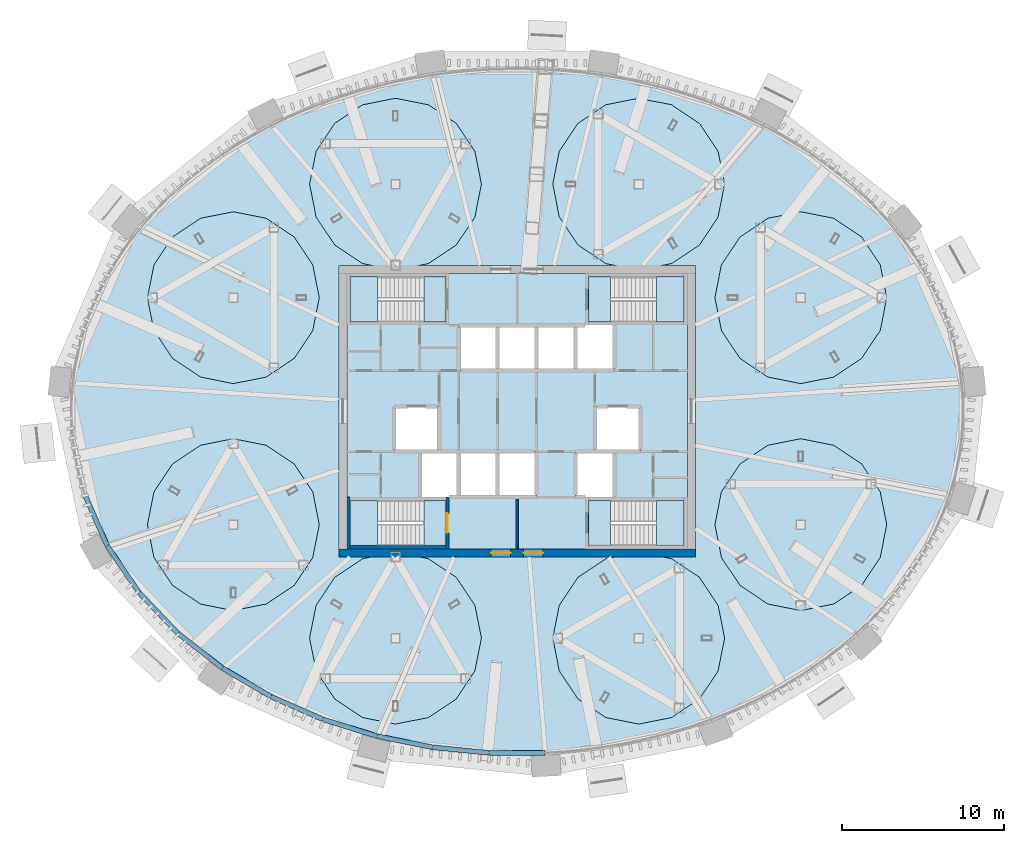
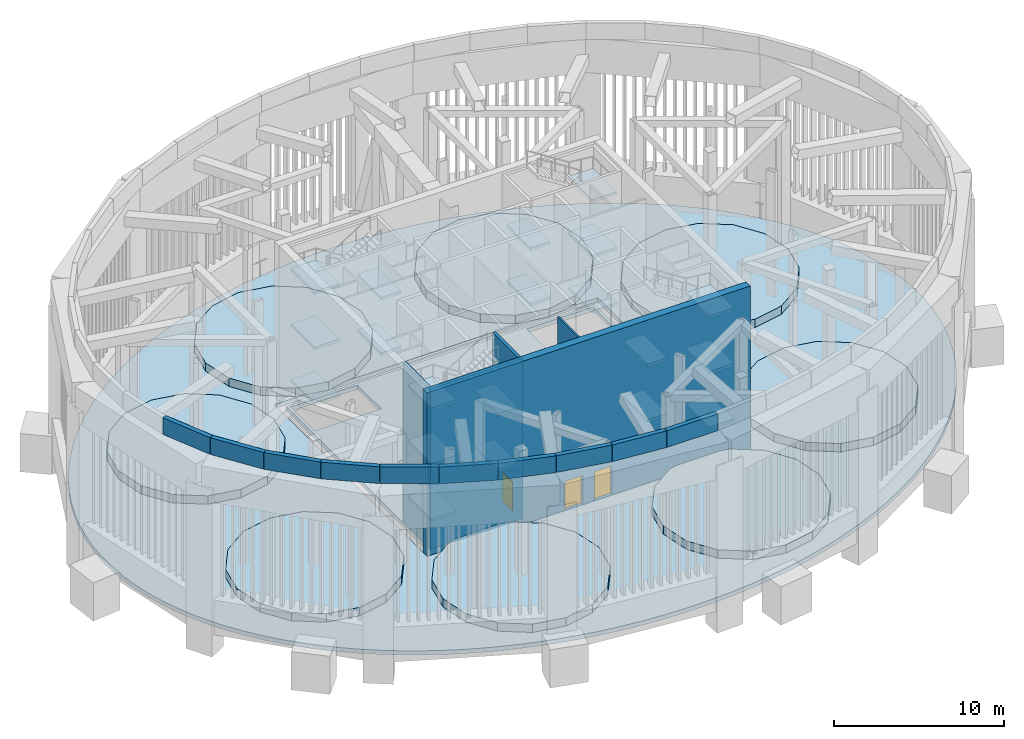
# One storey, part 6 of 14: 30 slabs, 15 walls, 3 doors, 3 openings, 4 elements without a shape of their own.
"""IFC4 building model written with IfcOpenShell, lengths in metres."""

import ifcopenshell
import ifcopenshell.guid

model = None  # the IFC model being written
_history = None  # IfcOwnerHistory: only IFC2X3 demands one
_inside = {}  # id of a spatial element -> (the spatial element, [elements in it])
_under = {}  # id of a project, library or spatial element -> (it, [spatial elements below it])
_declared = {}  # id of a project -> (the project, [libraries it declares])
_typed = {}  # id of a type object -> (the type object, [elements of that type])
_made_of = {}  # id of a material, layer set ... -> (it, [elements and type objects made of it])


def new_model(schema):
    """Start an empty IFC model of exactly this schema.

    Asked for "IFC4X3", IfcOpenShell would pick the latest addendum, in which some entities
    have other attributes; the version numbers below select the first issue.
    IFC2X3 requires an IfcOwnerHistory on every rooted entity: one is made here for all.
    """
    global model, _history
    if schema == "IFC4X3":
        model = ifcopenshell.file(schema_version=(4, 3, 0, 0))
    else:
        model = ifcopenshell.file(schema=schema)
    _inside.clear()
    _under.clear()
    _declared.clear()
    _typed.clear()
    _made_of.clear()
    _history = None
    if model.schema == "IFC2X3":
        org = make("IfcOrganization", Name="unknown")
        user = make(
            "IfcPersonAndOrganization",
            ThePerson=make("IfcPerson", FamilyName="unknown"),
            TheOrganization=org,
        )
        app = make(
            "IfcApplication",
            ApplicationDeveloper=org,
            Version="unknown",
            ApplicationFullName="unknown",
            ApplicationIdentifier="unknown",
        )
        _history = make(
            "IfcOwnerHistory",
            OwningUser=user,
            OwningApplication=app,
            ChangeAction="ADDED",
            CreationDate=0,
        )
    return model


def make(cls, **values):
    """One entity of the class cls with the attributes given. An attribute that is None is left unset."""
    return model.create_entity(
        cls, **{name: value for name, value in values.items() if value is not None}
    )


def rooted(cls, **values):
    """An entity with a GlobalId (a new one), such as an element, a storey or a relation."""
    return make(cls, GlobalId=ifcopenshell.guid.new(), OwnerHistory=_history, **values)


def si_unit(unit_type, name, prefix=None):
    """IfcSIUnit, for example si_unit("LENGTHUNIT", "METRE", prefix="MILLI")."""
    return make("IfcSIUnit", UnitType=unit_type, Prefix=prefix, Name=name)


def assignment(units):
    """IfcUnitAssignment: the units of a project."""
    return None if units is None else make("IfcUnitAssignment", Units=units)


def point(xyz):
    """IfcCartesianPoint."""
    return None if xyz is None else make("IfcCartesianPoint", Coordinates=xyz)


def direction(xyz):
    """IfcDirection."""
    return None if xyz is None else make("IfcDirection", DirectionRatios=xyz)


def frame(location, z_axis=None, x_axis=None):
    """IfcAxis2Placement3D, a coordinate frame: its origin and axes. An axis left out is left unset."""
    return make(
        "IfcAxis2Placement3D",
        Location=point(location),
        Axis=direction(z_axis),
        RefDirection=direction(x_axis),
    )


def frame_2d(location, x_axis=None):
    """IfcAxis2Placement2D, a coordinate frame in the plane: its origin and x axis."""
    return make(
        "IfcAxis2Placement2D", Location=point(location), RefDirection=direction(x_axis)
    )


def origin():
    """The frame at (0, 0, 0) with its axes left unset."""
    return frame((0.0, 0.0, 0.0))


def place(relative_to, where):
    """IfcLocalPlacement: puts the frame where relative to a parent placement (None: the world)."""
    return make(
        "IfcLocalPlacement", PlacementRelTo=relative_to, RelativePlacement=where
    )


def context(
    kind, dimensions, precision=None, world=None, true_north=None, identifier=None
):
    """IfcGeometricRepresentationContext, for example the 3D "Model" context."""
    return make(
        "IfcGeometricRepresentationContext",
        ContextIdentifier=identifier,
        ContextType=kind,
        CoordinateSpaceDimension=dimensions,
        Precision=precision,
        WorldCoordinateSystem=world,
        TrueNorth=true_north,
    )


def subcontext(parent, identifier, kind, view, scale=None):
    """IfcGeometricRepresentationSubContext, for example "Body" below "Model"."""
    return make(
        "IfcGeometricRepresentationSubContext",
        ContextIdentifier=identifier,
        ContextType=kind,
        ParentContext=parent,
        TargetScale=scale,
        TargetView=view,
    )


def project(units=None, contexts=None):
    """IfcProject with its units and contexts."""
    return rooted(
        "IfcProject",
        Name="project",
        RepresentationContexts=contexts,
        UnitsInContext=assignment(units),
    )


def spatial(cls, under=None, at=None, **own):
    """A site, building, storey or space (cls), placed at a placement, below another one or the project."""
    s = rooted(cls, ObjectPlacement=at, **own)
    if under is not None:
        _under.setdefault(under.id(), (under, []))[1].append(s)
    return s


def polyline(points):
    """IfcPolyline through the points."""
    return make("IfcPolyline", Points=[point(p) for p in points])


def profile(cls, at=None, kind="AREA", **sizes):
    """A parametric profile (cls). Its sizes go by their IFC names, for example OverallWidth=200.0."""
    return make(cls, ProfileType=kind, Position=at, **sizes)


def rectangle(**sizes):
    """IfcRectangleProfileDef."""
    return profile("IfcRectangleProfileDef", **sizes)


def outline(outer, holes=None, kind="AREA"):
    """IfcArbitraryClosedProfileDef: a profile drawn as a closed curve; with holes, ...WithVoids."""
    if holes is None:
        return make("IfcArbitraryClosedProfileDef", ProfileType=kind, OuterCurve=outer)
    return make(
        "IfcArbitraryProfileDefWithVoids",
        ProfileType=kind,
        OuterCurve=outer,
        InnerCurves=holes,
    )


def extrude(swept, where, along, depth):
    """IfcExtrudedAreaSolid: the profile swept, set in the frame where, extruded along a direction by depth."""
    return make(
        "IfcExtrudedAreaSolid",
        SweptArea=swept,
        Position=where,
        ExtrudedDirection=direction(along),
        Depth=depth,
    )


def shape(context_of_items, identifier, shape_type, items):
    """IfcShapeRepresentation: the items that make up one representation, for example the "Body"."""
    return make(
        "IfcShapeRepresentation",
        ContextOfItems=context_of_items,
        RepresentationIdentifier=identifier,
        RepresentationType=shape_type,
        Items=items,
    )


def source(mapping_origin, context_of_items, identifier, shape_type, items):
    """IfcRepresentationMap: a shape defined once, which mapped items show again and again."""
    return make(
        "IfcRepresentationMap",
        MappingOrigin=mapping_origin,
        MappedRepresentation=shape(context_of_items, identifier, shape_type, items),
    )


def transform(
    local_origin,
    x_axis=None,
    y_axis=None,
    z_axis=None,
    scale=None,
    scale2=None,
    scale3=None,
    uniform=True,
):
    """IfcCartesianTransformationOperator3D, or its non-uniform kind. x_axis, y_axis, z_axis: its Axis1, 2, 3."""
    if uniform:
        return make(
            "IfcCartesianTransformationOperator3D",
            Axis1=direction(x_axis),
            Axis2=direction(y_axis),
            LocalOrigin=point(local_origin),
            Scale=scale,
            Axis3=direction(z_axis),
        )
    return make(
        "IfcCartesianTransformationOperator3DnonUniform",
        Axis1=direction(x_axis),
        Axis2=direction(y_axis),
        LocalOrigin=point(local_origin),
        Scale=scale,
        Axis3=direction(z_axis),
        Scale2=scale2,
        Scale3=scale3,
    )


def mapped(mapping_source, mapping_target):
    """IfcMappedItem: shows the shape of a source again, moved by a transform."""
    return make(
        "IfcMappedItem", MappingSource=mapping_source, MappingTarget=mapping_target
    )


def material(Name=None, Category=None):
    """IfcMaterial."""
    return make("IfcMaterial", Name=Name, Category=Category)


def layer(
    of_material, thickness, ventilated=None, Name=None, Category=None, Priority=None
):
    """IfcMaterialLayer: one layer of a wall or slab, of a material (None: an air gap)."""
    return make(
        "IfcMaterialLayer",
        Material=of_material,
        LayerThickness=thickness,
        IsVentilated=ventilated,
        Name=Name,
        Category=Category,
        Priority=Priority,
    )


def layer_set(layers, Name=None):
    """IfcMaterialLayerSet."""
    return make("IfcMaterialLayerSet", MaterialLayers=layers, LayerSetName=Name)


def made_of(thing, what):
    """Note that an element or type object is made of a material, layer set ...; save() writes the relation."""
    if what is not None:
        _made_of.setdefault(what.id(), (what, []))[1].append(thing)
    return thing


def type_object(cls, material=None, **own):
    """A type object (cls), such as IfcWallType, which elements share."""
    return made_of(rooted(cls, **own), material)


def element(
    cls,
    number,
    at=None,
    inside=None,
    cuts=None,
    type_object=None,
    material=None,
    context=None,
    identifier="Body",
    shape_type=None,
    held_by="IfcProductDefinitionShape",
    body=None,
    shapes=None,
    **own,
):
    """One element of the class cls, such as IfcWall. Its Tag is "e" and its number.

    at: its placement. inside: the storey or other place that contains it. cuts: it is an
    opening in that element (IfcRelVoidsElement). A single representation is given by context,
    identifier, shape_type and body (its items); several are given by shapes. held_by: the class
    of the entity that holds the representations. save() writes the other relations.
    """
    e = rooted(cls, Tag="e%d" % number, ObjectPlacement=at, **own)
    if body is not None:
        shapes = [shape(context, identifier, shape_type, body)]
    if shapes is not None:
        e.Representation = make(held_by, Representations=shapes)
    if inside is not None:
        _inside.setdefault(inside.id(), (inside, []))[1].append(e)
    if cuts is not None:
        rooted(
            "IfcRelVoidsElement", RelatingBuildingElement=cuts, RelatedOpeningElement=e
        )
    if type_object is not None:
        _typed.setdefault(type_object.id(), (type_object, []))[1].append(e)
    return made_of(e, material)


def fill(opening, filler):
    """IfcRelFillsElement: the door or window that sits in an opening."""
    return rooted(
        "IfcRelFillsElement",
        RelatingOpeningElement=opening,
        RelatedBuildingElement=filler,
    )


def aggregate(whole, parts):
    """IfcRelAggregates: a whole, such as a stair, and the parts it consists of."""
    return rooted("IfcRelAggregates", RelatingObject=whole, RelatedObjects=parts)


def save(model, path):
    """Write the relations noted so far, then the file.

    IfcRelAggregates (storeys below a building ...), IfcRelContainedInSpatialStructure (elements
    in a storey), IfcRelDefinesByType, IfcRelAssociatesMaterial and IfcRelDeclares: one each for
    every whole, place, type object, material and project.
    """
    for whole, parts in _under.values():
        aggregate(whole, parts)
    for where, things in _inside.values():
        rooted(
            "IfcRelContainedInSpatialStructure",
            RelatedElements=things,
            RelatingStructure=where,
        )
    for kind, things in _typed.values():
        rooted("IfcRelDefinesByType", RelatedObjects=things, RelatingType=kind)
    for what, things in _made_of.values():
        rooted("IfcRelAssociatesMaterial", RelatedObjects=things, RelatingMaterial=what)
    for by, libraries in _declared.values():
        rooted("IfcRelDeclares", RelatingContext=by, RelatedDefinitions=libraries)
    model.write(path)


model = new_model("IFC4")

# Units and contexts
model_context = context("Model", 3, precision=1e-05, world=origin(), true_north=direction((0.0, 1.0)))
body_context = subcontext(model_context, "Body", "Model", "MODEL_VIEW")
ifc_project = project(units=[si_unit("LENGTHUNIT", "METRE"), si_unit("AREAUNIT", "SQUARE_METRE"), si_unit("VOLUMEUNIT", "CUBIC_METRE"), si_unit("PLANEANGLEUNIT", "RADIAN"), si_unit("MASSUNIT", "GRAM", prefix="KILO")], contexts=[model_context])

# Site, building, storey
site_placement = place(None, origin())
site = spatial("IfcSite", under=ifc_project, at=site_placement, CompositionType="ELEMENT")
building_placement = place(site_placement, origin())
building = spatial("IfcBuilding", under=site, at=building_placement, Name="Embergate Tower", CompositionType="ELEMENT")
storey_placement = place(building_placement, frame((0.0, 0.0, 340.0)))
storey = spatial("IfcBuildingStorey", under=building, at=storey_placement, Name="L79", CompositionType="ELEMENT", Elevation=340.0)

# Slabs
ifc_material_1 = material(Name="Concrete C50", Category="concrete")
ifc_layer_1 = layer(ifc_material_1, 0.300048828125)
ifc_layer_set_1 = layer_set([ifc_layer_1], Name="Concrete C50")
slab_type_1 = type_object("IfcSlabType", Name="Slot floor slab C50 300", PredefinedType="FLOOR", material=ifc_layer_set_1)
shared_shape_1 = source(origin(), body_context, "Body", "SweptSolid", [
    extrude(outline(polyline([(0.0, 0.0), (1.169921875, 0.0), (2.337890625, 0.0380859375), (3.507080078125, 0.114013671875), (4.6708984375, 0.22802734375), (5.826904296875, 0.381103515625), (6.98486328125, 0.572998046875), (8.130859375, 0.802978515625), (9.263916015625, 1.070068359375), (10.39892578125, 1.3798828125), (11.514892578125, 1.72802734375), (12.61083984375, 2.112060546875), (13.7080078125, 2.5439453125), (14.780029296875, 3.011962890625), (15.822998046875, 3.51708984375), (16.864990234375, 4.072998046875), (17.873046875, 4.666015625), (18.843994140625, 5.29296875), (19.80908203125, 5.97802734375), (20.73095703125, 6.697021484375), (21.60693359375, 7.448974609375), (22.467041015625, 8.263916015625), (23.27294921875, 9.110107421875), (24.02490234375, 9.985107421875), (24.744873046875, 10.924072265625), (25.40185546875, 11.889892578125), (25.993896484375, 12.881103515625), (26.536865234375, 13.930908203125), (27.005859375, 15.0009765625), (27.40087890625, 16.087890625), (27.72705078125, 17.218017578125), (27.972900390625, 18.360107421875), (28.136962890625, 19.510986328125), (28.220947265625, 20.677001953125), (28.220947265625, 21.844970703125), (28.136962890625, 23.010986328125), (27.972900390625, 24.161865234375), (27.72705078125, 25.303955078125), (27.40087890625, 26.43408203125), (27.005859375, 27.52099609375), (26.536865234375, 28.591064453125), (25.993896484375, 29.640869140625), (25.40185546875, 30.632080078125), (24.744873046875, 31.597900390625), (24.02490234375, 32.536865234375), (23.27294921875, 33.411865234375), (22.467041015625, 34.258056640625), (21.60693359375, 35.072998046875), (20.73095703125, 35.824951171875), (19.80908203125, 36.5439453125), (18.843994140625, 37.22900390625), (17.873046875, 37.85595703125), (16.864990234375, 38.448974609375), (15.822998046875, 39.0048828125), (14.780029296875, 39.510009765625), (13.7080078125, 39.97802734375), (12.61083984375, 40.409912109375), (11.514892578125, 40.7939453125), (10.39892578125, 41.14208984375), (9.263916015625, 41.451904296875), (8.130859375, 41.718994140625), (6.98486328125, 41.948974609375), (5.826904296875, 42.140869140625), (4.6708984375, 42.2939453125), (3.507080078125, 42.407958984375), (2.337890625, 42.48388671875), (1.169921875, 42.52197265625), (0.0, 42.52197265625), (-1.16796875, 42.48388671875), (-2.337158203125, 42.407958984375), (-3.5009765625, 42.2939453125), (-4.656982421875, 42.140869140625), (-5.81494140625, 41.948974609375), (-6.9609375, 41.718994140625), (-8.093994140625, 41.451904296875), (-9.22900390625, 41.14208984375), (-10.344970703125, 40.7939453125), (-11.44091796875, 40.409912109375), (-12.5380859375, 39.97802734375), (-13.610107421875, 39.510009765625), (-14.653076171875, 39.0048828125), (-15.695068359375, 38.448974609375), (-16.703125, 37.85595703125), (-17.674072265625, 37.22900390625), (-18.63916015625, 36.5439453125), (-19.56103515625, 35.824951171875), (-20.43701171875, 35.072998046875), (-21.297119140625, 34.258056640625), (-22.10302734375, 33.411865234375), (-22.85498046875, 32.536865234375), (-23.574951171875, 31.597900390625), (-24.23193359375, 30.632080078125), (-24.823974609375, 29.640869140625), (-25.366943359375, 28.591064453125), (-25.8359375, 27.52099609375), (-26.23095703125, 26.43408203125), (-26.55712890625, 25.303955078125), (-26.802978515625, 24.161865234375), (-26.967041015625, 23.010986328125), (-27.051025390625, 21.844970703125), (-27.051025390625, 20.677001953125), (-26.967041015625, 19.510986328125), (-26.802978515625, 18.360107421875), (-26.55712890625, 17.218017578125), (-26.23095703125, 16.087890625), (-25.8359375, 15.0009765625), (-25.366943359375, 13.930908203125), (-24.823974609375, 12.881103515625), (-24.23193359375, 11.889892578125), (-23.574951171875, 10.924072265625), (-22.85498046875, 9.985107421875), (-22.10302734375, 9.110107421875), (-21.297119140625, 8.263916015625), (-20.43701171875, 7.448974609375), (-19.56103515625, 6.697021484375), (-18.63916015625, 5.97802734375), (-17.674072265625, 5.29296875), (-16.703125, 4.666015625), (-15.695068359375, 4.072998046875), (-14.653076171875, 3.51708984375), (-13.610107421875, 3.011962890625), (-12.5380859375, 2.5439453125), (-11.44091796875, 2.112060546875), (-10.344970703125, 1.72802734375), (-9.22900390625, 1.3798828125), (-8.093994140625, 1.070068359375), (-6.9609375, 0.802978515625), (-5.81494140625, 0.572998046875), (-4.656982421875, 0.381103515625), (-3.5009765625, 0.22802734375), (-2.337158203125, 0.114013671875), (-1.16796875, 0.0380859375), (0.0, 0.0)]), holes=[polyline([(-10.4150390625, 12.260986328125), (-10.4150390625, 30.260986328125), (11.5849609375, 30.260986328125), (11.5849609375, 12.260986328125), (-10.4150390625, 12.260986328125)])]), origin(), (0.0, 0.0, 1.0), 0.300048828125),
])
slab_1_placement = place(storey_placement, frame((-0.5849609375, -21.260986328125, -0.300048828125)))
element("IfcSlab", 1, at=slab_1_placement, inside=storey, type_object=slab_type_1, Name="SLB-L79-00", PredefinedType="FLOOR", context=body_context, shape_type="MappedRepresentation", body=[
    mapped(shared_shape_1, transform((0.0, 0.0, 0.0))),
])
ifc_layer_2 = layer(ifc_material_1, 0.60009765625)
ifc_layer_set_2 = layer_set([ifc_layer_2], Name="Concrete C50")
slab_type_2 = type_object("IfcSlabType", Name="Turbine plinth", PredefinedType="USERDEFINED", material=ifc_layer_set_2)
shared_shape_2 = source(origin(), body_context, "Body", "SweptSolid", [
    extrude(outline(polyline([(0.0, 0.0), (2.028076171875, 0.403076171875), (3.748046875, 1.552001953125), (4.89697265625, 3.27197265625), (5.300048828125, 5.300048828125), (4.89697265625, 7.328125), (3.748046875, 9.048095703125), (2.028076171875, 10.197021484375), (0.0, 10.60009765625), (-2.028076171875, 10.197021484375), (-3.748046875, 9.048095703125), (-4.89697265625, 7.328125), (-5.300048828125, 5.300048828125), (-4.89697265625, 3.27197265625), (-3.748046875, 1.552001953125), (-2.028076171875, 0.403076171875), (0.0, 0.0)])), origin(), (0.0, 0.0, 1.0), 0.60009765625),
])
for number, where, name in (
    (2, (17.5, 1.699951171875, 0.0), "TUR-L79-PL01"),
    (3, (17.5, -12.300048828125, 0.0), "TUR-L79-PL02"),
    (4, (-17.5, 1.699951171875, 0.0), "TUR-L79-PL03"),
    (5, (-17.5, -12.300048828125, 0.0), "TUR-L79-PL04"),
    (6, (7.5, 8.699951171875, 0.0), "TUR-L79-PL05"),
    (7, (-7.5, 8.699951171875, 0.0), "TUR-L79-PL06"),
    (8, (7.5, -19.300048828125, 0.0), "TUR-L79-PL07"),
    (9, (-7.5, -19.300048828125, 0.0), "TUR-L79-PL08"),
):
    element("IfcSlab", number, at=place(storey_placement, frame(where)), inside=storey, type_object=slab_type_2, Name=name, ObjectType="TURBINE PLINTH", PredefinedType="USERDEFINED", context=body_context, shape_type="MappedRepresentation", body=[
        mapped(shared_shape_2, transform((0.0, 0.0, 0.0))),
    ])

# Stair, slabs
ifc_material_2 = material(Name="Exit stair")
stair_type = type_object("IfcStairType", Name="Exit stair", PredefinedType="HALF_TURN_STAIR", material=ifc_material_2)
stair_1_placement = place(storey_placement, origin())
stair_1 = element("IfcStair", 10, at=stair_1_placement, inside=storey, type_object=stair_type, Name="L79 Exit stair 1", PredefinedType="HALF_TURN_STAIR")
ifc_material_3 = material(Name="Concrete C40", Category="concrete")
ifc_layer_3 = layer(ifc_material_3, 0.199951171875)
ifc_layer_set_3 = layer_set([ifc_layer_3], Name="Concrete C40")
slab_type_3 = type_object("IfcSlabType", Name="Stair landing reinforced concrete", PredefinedType="LANDING", material=ifc_layer_set_3)
shared_shape_3 = source(origin(), body_context, "Body", "SweptSolid", [
    extrude(outline(polyline([(0.0, 0.0), (1.68994140625, 0.0), (1.68994140625, 2.800048828125), (0.0, 2.800048828125), (0.0, 0.0)])), origin(), (0.0, 0.0, 1.0), 0.199951171875),
])
slab_2_placement = place(storey_placement, frame((-10.300048828125, 5.5, 1.800048828125)))
slab_2 = element("IfcSlab", 11, at=slab_2_placement, type_object=slab_type_3, Name="ST1 landing 1", PredefinedType="LANDING", context=body_context, shape_type="MappedRepresentation", body=[
    mapped(shared_shape_3, transform((0.0, 0.0, 0.0))),
])
slab_3_placement = place(storey_placement, frame((-10.300048828125, 5.5, 5.800048828125)))
slab_3 = element("IfcSlab", 12, at=slab_3_placement, type_object=slab_type_3, Name="ST1 landing 3", PredefinedType="LANDING", context=body_context, shape_type="MappedRepresentation", body=[
    mapped(shared_shape_3, transform((0.0, 0.0, 0.0))),
])
slab_4_placement = place(storey_placement, frame((-10.300048828125, 5.5, 9.800048828125)))
slab_4 = element("IfcSlab", 13, at=slab_4_placement, type_object=slab_type_3, Name="ST1 landing 5", PredefinedType="LANDING", context=body_context, shape_type="MappedRepresentation", body=[
    mapped(shared_shape_3, transform((0.0, 0.0, 0.0))),
])

stair_2_placement = place(storey_placement, origin())
stair_2 = element("IfcStair", 14, at=stair_2_placement, inside=storey, type_object=stair_type, Name="L79 Exit stair 2", PredefinedType="HALF_TURN_STAIR")
slab_5_placement = place(storey_placement, frame((8.610107421875, 5.5, 1.800048828125)))
slab_5 = element("IfcSlab", 15, at=slab_5_placement, type_object=slab_type_3, Name="ST2 landing 1", PredefinedType="LANDING", context=body_context, shape_type="MappedRepresentation", body=[
    mapped(shared_shape_3, transform((0.0, 0.0, 0.0))),
])
slab_6_placement = place(storey_placement, frame((8.610107421875, 5.5, 5.800048828125)))
slab_6 = element("IfcSlab", 16, at=slab_6_placement, type_object=slab_type_3, Name="ST2 landing 3", PredefinedType="LANDING", context=body_context, shape_type="MappedRepresentation", body=[
    mapped(shared_shape_3, transform((0.0, 0.0, 0.0))),
])
slab_7_placement = place(storey_placement, frame((8.610107421875, 5.5, 9.800048828125)))
slab_7 = element("IfcSlab", 17, at=slab_7_placement, type_object=slab_type_3, Name="ST2 landing 5", PredefinedType="LANDING", context=body_context, shape_type="MappedRepresentation", body=[
    mapped(shared_shape_3, transform((0.0, 0.0, 0.0))),
])

stair_3_placement = place(storey_placement, origin())
stair_3 = element("IfcStair", 18, at=stair_3_placement, inside=storey, type_object=stair_type, Name="L79 Exit stair 3", PredefinedType="HALF_TURN_STAIR")
slab_8_placement = place(storey_placement, frame((-10.300048828125, -8.300048828125, 1.800048828125)))
slab_8 = element("IfcSlab", 19, at=slab_8_placement, type_object=slab_type_3, Name="ST3 landing 1", PredefinedType="LANDING", context=body_context, shape_type="MappedRepresentation", body=[
    mapped(shared_shape_3, transform((0.0, 0.0, 0.0))),
])
slab_9_placement = place(storey_placement, frame((-10.300048828125, -8.300048828125, 5.800048828125)))
slab_9 = element("IfcSlab", 20, at=slab_9_placement, type_object=slab_type_3, Name="ST3 landing 3", PredefinedType="LANDING", context=body_context, shape_type="MappedRepresentation", body=[
    mapped(shared_shape_3, transform((0.0, 0.0, 0.0))),
])
slab_10_placement = place(storey_placement, frame((-10.300048828125, -8.300048828125, 9.800048828125)))
slab_10 = element("IfcSlab", 21, at=slab_10_placement, type_object=slab_type_3, Name="ST3 landing 5", PredefinedType="LANDING", context=body_context, shape_type="MappedRepresentation", body=[
    mapped(shared_shape_3, transform((0.0, 0.0, 0.0))),
])

stair_4_placement = place(storey_placement, origin())
stair_4 = element("IfcStair", 22, at=stair_4_placement, inside=storey, type_object=stair_type, Name="L79 Exit stair 4", PredefinedType="HALF_TURN_STAIR")
slab_11_placement = place(storey_placement, frame((8.610107421875, -8.300048828125, 1.800048828125)))
slab_11 = element("IfcSlab", 23, at=slab_11_placement, type_object=slab_type_3, Name="ST4 landing 1", PredefinedType="LANDING", context=body_context, shape_type="MappedRepresentation", body=[
    mapped(shared_shape_3, transform((0.0, 0.0, 0.0))),
])
slab_12_placement = place(storey_placement, frame((8.610107421875, -8.300048828125, 5.800048828125)))
slab_12 = element("IfcSlab", 24, at=slab_12_placement, type_object=slab_type_3, Name="ST4 landing 3", PredefinedType="LANDING", context=body_context, shape_type="MappedRepresentation", body=[
    mapped(shared_shape_3, transform((0.0, 0.0, 0.0))),
])
slab_13_placement = place(storey_placement, frame((8.610107421875, -8.300048828125, 9.800048828125)))
slab_13 = element("IfcSlab", 25, at=slab_13_placement, type_object=slab_type_3, Name="ST4 landing 5", PredefinedType="LANDING", context=body_context, shape_type="MappedRepresentation", body=[
    mapped(shared_shape_3, transform((0.0, 0.0, 0.0))),
])

# Slab
shared_shape_4 = source(origin(), body_context, "Body", "SweptSolid", [
    extrude(outline(polyline([(0.0, 0.0), (1.35009765625, 0.0), (1.35009765625, 2.800048828125), (0.0, 2.800048828125), (0.0, 0.0)])), origin(), (0.0, 0.0, 1.0), 0.199951171875),
])
slab_14_placement = place(storey_placement, frame((-5.75, 5.5, 3.800048828125)))
slab_14 = element("IfcSlab", 26, at=slab_14_placement, type_object=slab_type_3, Name="ST1 landing 2", PredefinedType="LANDING", context=body_context, shape_type="MappedRepresentation", body=[
    mapped(shared_shape_4, transform((0.0, 0.0, 0.0))),
])

slab_15_placement = place(storey_placement, frame((-5.75, 5.5, 7.800048828125)))
slab_15 = element("IfcSlab", 27, at=slab_15_placement, type_object=slab_type_3, Name="ST1 landing 4", PredefinedType="LANDING", context=body_context, shape_type="MappedRepresentation", body=[
    mapped(shared_shape_4, transform((0.0, 0.0, 0.0))),
])

aggregate(stair_1, [slab_2, slab_14, slab_3, slab_15, slab_4])

slab_16_placement = place(storey_placement, frame((4.39990234375, 5.5, 3.800048828125)))
slab_16 = element("IfcSlab", 28, at=slab_16_placement, type_object=slab_type_3, Name="ST2 landing 2", PredefinedType="LANDING", context=body_context, shape_type="MappedRepresentation", body=[
    mapped(shared_shape_4, transform((0.0, 0.0, 0.0))),
])

slab_17_placement = place(storey_placement, frame((4.39990234375, 5.5, 7.800048828125)))
slab_17 = element("IfcSlab", 29, at=slab_17_placement, type_object=slab_type_3, Name="ST2 landing 4", PredefinedType="LANDING", context=body_context, shape_type="MappedRepresentation", body=[
    mapped(shared_shape_4, transform((0.0, 0.0, 0.0))),
])

aggregate(stair_2, [slab_5, slab_16, slab_6, slab_17, slab_7])

slab_18_placement = place(storey_placement, frame((-5.75, -8.300048828125, 3.800048828125)))
slab_18 = element("IfcSlab", 30, at=slab_18_placement, type_object=slab_type_3, Name="ST3 landing 2", PredefinedType="LANDING", context=body_context, shape_type="MappedRepresentation", body=[
    mapped(shared_shape_4, transform((0.0, 0.0, 0.0))),
])

slab_19_placement = place(storey_placement, frame((-5.75, -8.300048828125, 7.800048828125)))
slab_19 = element("IfcSlab", 31, at=slab_19_placement, type_object=slab_type_3, Name="ST3 landing 4", PredefinedType="LANDING", context=body_context, shape_type="MappedRepresentation", body=[
    mapped(shared_shape_4, transform((0.0, 0.0, 0.0))),
])

aggregate(stair_3, [slab_8, slab_18, slab_9, slab_19, slab_10])

slab_20_placement = place(storey_placement, frame((4.39990234375, -8.300048828125, 3.800048828125)))
slab_20 = element("IfcSlab", 32, at=slab_20_placement, type_object=slab_type_3, Name="ST4 landing 2", PredefinedType="LANDING", context=body_context, shape_type="MappedRepresentation", body=[
    mapped(shared_shape_4, transform((0.0, 0.0, 0.0))),
])

slab_21_placement = place(storey_placement, frame((4.39990234375, -8.300048828125, 7.800048828125)))
slab_21 = element("IfcSlab", 33, at=slab_21_placement, type_object=slab_type_3, Name="ST4 landing 4", PredefinedType="LANDING", context=body_context, shape_type="MappedRepresentation", body=[
    mapped(shared_shape_4, transform((0.0, 0.0, 0.0))),
])

aggregate(stair_4, [slab_11, slab_20, slab_12, slab_21, slab_13])

ifc_layer_4 = layer(ifc_material_3, 0.300048828125)
ifc_layer_set_4 = layer_set([ifc_layer_4], Name="Concrete C40")
slab_type_4 = type_object("IfcSlabType", Name="Core floor slab 300 reinforced concrete", PredefinedType="FLOOR", material=ifc_layer_set_4)
shared_shape_5 = source(origin(), body_context, "Body", "SweptSolid", [
    extrude(outline(polyline([(0.0, 0.0), (21.0, 0.0), (21.0, 17.0), (0.0, 17.0), (0.0, 0.0)]), holes=[polyline([(0.199951171875, 0.199951171875), (0.199951171875, 3.0), (4.739990234375, 3.0), (4.739990234375, 0.199951171875), (0.199951171875, 0.199951171875)]), polyline([(16.260009765625, 0.199951171875), (16.260009765625, 3.0), (20.800048828125, 3.0), (20.800048828125, 0.199951171875), (16.260009765625, 0.199951171875)]), polyline([(4.5, 3.199951171875), (4.5, 5.875), (5.824951171875, 5.875), (5.824951171875, 6.0), (6.77490234375, 6.0), (6.77490234375, 3.199951171875), (4.5, 3.199951171875)]), polyline([(7.02490234375, 3.199951171875), (7.02490234375, 6.0), (9.175048828125, 6.0), (9.175048828125, 3.199951171875), (7.02490234375, 3.199951171875)]), polyline([(9.425048828125, 3.199951171875), (9.425048828125, 6.0), (11.699951171875, 6.0), (11.699951171875, 3.199951171875), (9.425048828125, 3.199951171875)]), polyline([(14.10009765625, 3.199951171875), (14.10009765625, 6.0), (15.175048828125, 6.0), (15.175048828125, 5.875), (16.5, 5.875), (16.5, 3.199951171875), (14.10009765625, 3.199951171875)]), polyline([(2.89990234375, 6.0), (2.89990234375, 8.800048828125), (5.699951171875, 8.800048828125), (5.699951171875, 6.125), (4.375, 6.125), (4.375, 6.0), (2.89990234375, 6.0)]), polyline([(16.625, 6.0), (16.625, 6.125), (15.300048828125, 6.125), (15.300048828125, 8.800048828125), (18.10009765625, 8.800048828125), (18.10009765625, 6.0), (16.625, 6.0)]), polyline([(6.89990234375, 11.0), (6.89990234375, 13.800048828125), (9.175048828125, 13.800048828125), (9.175048828125, 11.0), (6.89990234375, 11.0)]), polyline([(9.425048828125, 11.0), (9.425048828125, 13.800048828125), (11.574951171875, 13.800048828125), (11.574951171875, 11.0), (9.425048828125, 11.0)]), polyline([(11.824951171875, 11.0), (11.824951171875, 13.800048828125), (13.97509765625, 13.800048828125), (13.97509765625, 11.0), (11.824951171875, 11.0)]), polyline([(14.22509765625, 11.0), (14.22509765625, 13.800048828125), (16.5, 13.800048828125), (16.5, 11.0), (14.22509765625, 11.0)]), polyline([(0.199951171875, 14.0), (0.199951171875, 16.800048828125), (4.739990234375, 16.800048828125), (4.739990234375, 14.0), (0.199951171875, 14.0)]), polyline([(16.260009765625, 14.0), (16.260009765625, 16.800048828125), (20.800048828125, 16.800048828125), (20.800048828125, 14.0), (16.260009765625, 14.0)])]), origin(), (0.0, 0.0, 1.0), 0.300048828125),
])
slab_22_placement = place(storey_placement, frame((-10.5, -8.5, -0.300048828125)))
element("IfcSlab", 34, at=slab_22_placement, inside=storey, type_object=slab_type_4, Name="Core floor slab", PredefinedType="FLOOR", context=body_context, shape_type="MappedRepresentation", body=[
    mapped(shared_shape_5, transform((0.0, 0.0, 0.0))),
])

# Wall, openings, doors
ifc_layer_5 = layer(ifc_material_1, 0.5)
ifc_layer_set_5 = layer_set([ifc_layer_5], Name="Concrete C50")
wall_type_1 = type_object("IfcWallType", Name="Core outer wall C50 500", PredefinedType="SHEAR", material=ifc_layer_set_5)
shared_shape_6 = source(origin(), body_context, "Body", "SweptSolid", [
    extrude(rectangle(XDim=22.0, YDim=0.5, at=frame_2d((11.0, 0.0))), origin(), (0.0, 0.0, 1.0), 12.050048828125),
])
wall_1_placement = place(storey_placement, frame((-11.0, -8.75, -0.300048828125), z_axis=(0.0, 0.0, 1.0), x_axis=(1.0, 0.0, 0.0)))
wall_1 = element("IfcWall", 35, at=wall_1_placement, inside=storey, type_object=wall_type_1, Name="CW-L79-S", PredefinedType="SHEAR", context=body_context, shape_type="MappedRepresentation", body=[
    mapped(shared_shape_6, transform((0.0, 0.0, 0.0))),
])
shared_shape_7 = source(origin(), body_context, "Body", "SweptSolid", [
    extrude(rectangle(XDim=1.199951171875, YDim=2.10009765625, at=frame_2d((0.60009765625, 1.050048828125))), frame((0.0, 0.260009765625, 0.0), z_axis=(0.0, -1.0, 0.0), x_axis=(1.0, 0.0, 0.0)), (0.0, 0.0, 1.0), 0.52001953125),
])
opening_1_placement = place(wall_1_placement, frame((9.39990234375, 0.0, 0.300048828125)))
opening_1 = element("IfcOpeningElement", 36, at=opening_1_placement, cuts=wall_1, Name="Opening IF-1", PredefinedType="OPENING", context=body_context, shape_type="MappedRepresentation", body=[
    mapped(shared_shape_7, transform((0.0, 0.0, 0.0))),
])
opening_2_placement = place(wall_1_placement, frame((11.39990234375, 0.0, 0.300048828125)))
opening_2 = element("IfcOpeningElement", 37, at=opening_2_placement, cuts=wall_1, Name="Opening IF-1", PredefinedType="OPENING", context=body_context, shape_type="MappedRepresentation", body=[
    mapped(shared_shape_7, transform((0.0, 0.0, 0.0))),
])
ifc_material_4 = material(Name="Escape fire door 1200")
door_type_1 = type_object("IfcDoorType", Name="Escape fire door 1200", OperationType="SINGLE_SWING_LEFT", PredefinedType="DOOR", material=ifc_material_4)
shared_shape_8 = source(origin(), body_context, "Body", "SweptSolid", [
    extrude(rectangle(XDim=1.199951171875, YDim=2.10009765625, at=frame_2d((0.60009765625, 1.050048828125))), frame((0.0, 0.02490234375, 0.0), z_axis=(0.0, -1.0, 0.0), x_axis=(1.0, 0.0, 0.0)), (0.0, 0.0, 1.0), 0.050048828125),
])
door_1_placement = place(opening_1_placement, origin())
door_1 = element("IfcDoor", 38, at=door_1_placement, inside=storey, type_object=door_type_1, Name="IF-1 door", OperationType="SINGLE_SWING_LEFT", OverallHeight=2.10009765625, OverallWidth=1.199951171875, PredefinedType="DOOR", context=body_context, shape_type="MappedRepresentation", body=[
    mapped(shared_shape_8, transform((0.0, 0.0, 0.0))),
])
fill(opening_1, door_1)
door_2_placement = place(opening_2_placement, origin())
door_2 = element("IfcDoor", 39, at=door_2_placement, inside=storey, type_object=door_type_1, Name="IF-1 door", OperationType="SINGLE_SWING_RIGHT", OverallHeight=2.10009765625, OverallWidth=1.199951171875, PredefinedType="DOOR", context=body_context, shape_type="MappedRepresentation", body=[
    mapped(shared_shape_8, transform((0.0, 0.0, 0.0))),
])
fill(opening_2, door_2)

# Walls
ifc_material_5 = material(Name="Brick masonry with terracotta coping", Category="masonry")
ifc_layer_6 = layer(ifc_material_5, 0.300048828125)
ifc_layer_set_6 = layer_set([ifc_layer_6], Name="Brick masonry with terracotta coping")
wall_type_2 = type_object("IfcWallType", Name="Roof edge parapet", PredefinedType="PARAPET", material=ifc_layer_set_6)
shared_shape_9 = source(origin(), body_context, "Body", "SweptSolid", [
    extrude(rectangle(XDim=3.453369140625, YDim=0.300048828125, at=frame_2d((1.7265625, 0.0))), origin(), (0.0, 0.0, 1.0), 1.199951171875),
])
wall_2_placement = place(storey_placement, frame((-26.6689453125, -5.13525390625, 12.0), z_axis=(0.0, 0.0, 1.0), x_axis=(0.401627168465, -0.915803263562, 0.0)))
element("IfcWall", 40, at=wall_2_placement, inside=storey, type_object=wall_type_2, Name="Roof edge parapet 24", PredefinedType="PARAPET", context=body_context, shape_type="MappedRepresentation", body=[
    mapped(shared_shape_9, transform((0.0, 0.0, 0.0))),
])
shared_shape_10 = source(origin(), body_context, "Body", "SweptSolid", [
    extrude(rectangle(XDim=3.455810546875, YDim=0.300048828125, at=frame_2d((1.72802734375, 0.0))), origin(), (0.0, 0.0, 1.0), 1.199951171875),
])
wall_3_placement = place(storey_placement, frame((-25.2724609375, -8.315185546875, 12.0), z_axis=(0.0, 0.0, 1.0), x_axis=(0.562468457955, -0.826818743018, 0.0)))
element("IfcWall", 41, at=wall_3_placement, inside=storey, type_object=wall_type_2, Name="Roof edge parapet 25", PredefinedType="PARAPET", context=body_context, shape_type="MappedRepresentation", body=[
    mapped(shared_shape_10, transform((0.0, 0.0, 0.0))),
])
shared_shape_11 = source(origin(), body_context, "Body", "SweptSolid", [
    extrude(rectangle(XDim=3.460693359375, YDim=0.300048828125, at=frame_2d((1.73046875, 0.0))), origin(), (0.0, 0.0, 1.0), 1.199951171875),
])
wall_4_placement = place(storey_placement, frame((-23.316162109375, -11.188232421875, 12.0), z_axis=(0.0, 0.0, 1.0), x_axis=(0.690081348948, -0.723731809329, 0.0)))
element("IfcWall", 42, at=wall_4_placement, inside=storey, type_object=wall_type_2, Name="Roof edge parapet 26", PredefinedType="PARAPET", context=body_context, shape_type="MappedRepresentation", body=[
    mapped(shared_shape_11, transform((0.0, 0.0, 0.0))),
])
shared_shape_12 = source(origin(), body_context, "Body", "SweptSolid", [
    extrude(rectangle(XDim=3.4638671875, YDim=0.300048828125, at=frame_2d((1.73193359375, 0.0))), origin(), (0.0, 0.0, 1.0), 1.199951171875),
])
wall_5_placement = place(storey_placement, frame((-20.9130859375, -13.706298828125, 12.0), z_axis=(0.0, 0.0, 1.0), x_axis=(0.78821988473, -0.615393705945, 0.0)))
element("IfcWall", 43, at=wall_5_placement, inside=storey, type_object=wall_type_2, Name="Roof edge parapet 27", PredefinedType="PARAPET", context=body_context, shape_type="MappedRepresentation", body=[
    mapped(shared_shape_12, transform((0.0, 0.0, 0.0))),
])
shared_shape_13 = source(origin(), body_context, "Body", "SweptSolid", [
    extrude(rectangle(XDim=3.465576171875, YDim=0.300048828125, at=frame_2d((1.73291015625, 0.0))), origin(), (0.0, 0.0, 1.0), 1.199951171875),
])
wall_6_placement = place(storey_placement, frame((-18.16650390625, -15.84912109375, 12.0), z_axis=(0.0, 0.0, 1.0), x_axis=(0.862144217858, -0.506662952675, 0.0)))
element("IfcWall", 44, at=wall_6_placement, inside=storey, type_object=wall_type_2, Name="Roof edge parapet 28", PredefinedType="PARAPET", context=body_context, shape_type="MappedRepresentation", body=[
    mapped(shared_shape_13, transform((0.0, 0.0, 0.0))),
])
shared_shape_14 = source(origin(), body_context, "Body", "SweptSolid", [
    extrude(rectangle(XDim=3.468505859375, YDim=0.300048828125, at=frame_2d((1.734375, 0.0))), origin(), (0.0, 0.0, 1.0), 1.199951171875),
])
wall_7_placement = place(storey_placement, frame((-15.160888671875, -17.614013671875, 12.0), z_axis=(0.0, 0.0, 1.0), x_axis=(0.916196102807, -0.400730209994, 0.0)))
element("IfcWall", 45, at=wall_7_placement, inside=storey, type_object=wall_type_2, Name="Roof edge parapet 29", PredefinedType="PARAPET", context=body_context, shape_type="MappedRepresentation", body=[
    mapped(shared_shape_14, transform((0.0, 0.0, 0.0))),
])
shared_shape_15 = source(origin(), body_context, "Body", "SweptSolid", [
    extrude(rectangle(XDim=3.469970703125, YDim=0.300048828125, at=frame_2d((1.73486328125, 0.0))), origin(), (0.0, 0.0, 1.0), 1.199951171875),
])
for number, where, z_axis, x_axis, name in (
    (46, (-11.964599609375, -19.010986328125, 12.0), (0.0, 0.0, 1.0), (0.954752495832, -0.297401532784, 0.0), "Roof edge parapet 30"),
    (47, (-8.632080078125, -20.048095703125, 12.0), (0.0, 0.0, 1.0), (0.980502121513, -0.196508497803, 0.0), "Roof edge parapet 31"),
):
    element("IfcWall", number, at=place(storey_placement, frame(where, z_axis=z_axis, x_axis=x_axis)), inside=storey, type_object=wall_type_2, Name=name, PredefinedType="PARAPET", context=body_context, shape_type="MappedRepresentation", body=[
        mapped(shared_shape_15, transform((0.0, 0.0, 0.0))),
    ])
shared_shape_16 = source(origin(), body_context, "Body", "SweptSolid", [
    extrude(rectangle(XDim=3.470458984375, YDim=0.300048828125, at=frame_2d((1.7353515625, 0.0))), origin(), (0.0, 0.0, 1.0), 1.199951171875),
])
wall_8_placement = place(storey_placement, frame((-5.2099609375, -20.73291015625, 12.0), z_axis=(0.0, 0.0, 1.0), x_axis=(0.99521458466, -0.097713512271, 0.0)))
element("IfcWall", 48, at=wall_8_placement, inside=storey, type_object=wall_type_2, Name="Roof edge parapet 32", PredefinedType="PARAPET", context=body_context, shape_type="MappedRepresentation", body=[
    mapped(shared_shape_16, transform((0.0, 0.0, 0.0))),
])
shared_shape_17 = source(origin(), body_context, "Body", "SweptSolid", [
    extrude(rectangle(XDim=3.47216796875, YDim=0.300048828125, at=frame_2d((1.736083984375, 0.0))), origin(), (0.0, 0.0, 1.0), 1.199951171875),
])
wall_9_placement = place(storey_placement, frame((-1.736083984375, -21.072998046875, 12.0), z_axis=(0.0, 0.0, 1.0), x_axis=(1.0, 0.0, 0.0)))
element("IfcWall", 49, at=wall_9_placement, inside=storey, type_object=wall_type_2, Name="Roof edge parapet 33", PredefinedType="PARAPET", context=body_context, shape_type="MappedRepresentation", body=[
    mapped(shared_shape_17, transform((0.0, 0.0, 0.0))),
])

# Wall, opening, door
ifc_layer_7 = layer(ifc_material_1, 0.199951171875)
ifc_layer_set_7 = layer_set([ifc_layer_7], Name="Concrete C50")
wall_type_3 = type_object("IfcWallType", Name="Stair enclosure wall reinforced concrete 250", PredefinedType="SHEAR", material=ifc_layer_set_7)
shared_shape_18 = source(origin(), body_context, "Body", "SweptSolid", [
    extrude(rectangle(XDim=3.199951171875, YDim=0.199951171875, at=frame_2d((1.60009765625, 0.0))), origin(), (0.0, 0.0, 1.0), 11.550048828125),
])
wall_10_placement = place(storey_placement, frame((-4.300048828125, -8.5, 0.0), z_axis=(0.0, 0.0, 1.0), x_axis=(0.0, 1.0, 0.0)))
wall_10 = element("IfcWall", 50, at=wall_10_placement, inside=storey, type_object=wall_type_3, Name="SE-1 wall", PredefinedType="SHEAR", context=body_context, shape_type="MappedRepresentation", body=[
    mapped(shared_shape_18, transform((0.0, 0.0, 0.0))),
])
shared_shape_19 = source(origin(), body_context, "Body", "SweptSolid", [
    extrude(rectangle(XDim=1.199951171875, YDim=2.10009765625, at=frame_2d((0.60009765625, 1.050048828125))), frame((0.0, 0.10986328125, 0.0), z_axis=(0.0, -1.0, 0.0), x_axis=(1.0, 0.0, 0.0)), (0.0, 0.0, 1.0), 0.219970703125),
])
opening_3_placement = place(wall_10_placement, frame((1.0, 0.0, 0.0)))
opening_3 = element("IfcOpeningElement", 51, at=opening_3_placement, cuts=wall_10, Name="Opening IF-2", PredefinedType="OPENING", context=body_context, shape_type="MappedRepresentation", body=[
    mapped(shared_shape_19, transform((0.0, 0.0, 0.0))),
])
ifc_material_6 = material(Name="Stair enclosure door 1200")
door_type_2 = type_object("IfcDoorType", Name="Stair enclosure door 1200", OperationType="SINGLE_SWING_LEFT", PredefinedType="DOOR", material=ifc_material_6)
door_3_placement = place(opening_3_placement, origin())
door_3 = element("IfcDoor", 52, at=door_3_placement, inside=storey, type_object=door_type_2, Name="IF-2 door", OperationType="SINGLE_SWING_LEFT", OverallHeight=2.10009765625, OverallWidth=1.199951171875, PredefinedType="DOOR", context=body_context, shape_type="MappedRepresentation", body=[
    mapped(shared_shape_8, transform((0.0, 0.0, 0.0))),
])
fill(opening_3, door_3)

# Walls
ifc_material_7 = material(Name="Core partition blockwork 120")
ifc_layer_8 = layer(ifc_material_7, 0.1201171875)
ifc_layer_set_8 = layer_set([ifc_layer_8], Name="Core partition blockwork 120")
wall_type_4 = type_object("IfcWallType", Name="Core partition blockwork 120", PredefinedType="PARTITIONING", material=ifc_layer_set_8)
shared_shape_20 = source(origin(), body_context, "Body", "SweptSolid", [
    extrude(rectangle(XDim=3.074951171875, YDim=0.1201171875, at=frame_2d((1.53759765625, 0.0))), origin(), (0.0, 0.0, 1.0), 11.25),
])
wall_11_placement = place(storey_placement, frame((0.0, -8.5, 0.0), z_axis=(0.0, 0.0, 1.0), x_axis=(0.0, 1.0, 0.0)))
element("IfcWall", 53, at=wall_11_placement, inside=storey, type_object=wall_type_4, Name="IP-3 wall", PredefinedType="PARTITIONING", context=body_context, shape_type="MappedRepresentation", body=[
    mapped(shared_shape_20, transform((0.0, 0.0, 0.0))),
])
shared_shape_21 = source(origin(), body_context, "Body", "SweptSolid", [
    extrude(rectangle(XDim=6.298095703125, YDim=0.199951171875, at=frame_2d((3.14892578125, 0.0))), origin(), (0.0, 0.0, 1.0), 11.550048828125),
])
wall_12_placement = place(storey_placement, frame((-10.5, -8.39990234375, 0.0), z_axis=(0.0, 0.0, 1.0), x_axis=(1.0, 0.0, 0.0)))
element("IfcWall", 54, at=wall_12_placement, inside=storey, type_object=wall_type_3, Name="SE-1 wall", PredefinedType="SHEAR", context=body_context, shape_type="MappedRepresentation", body=[
    mapped(shared_shape_21, transform((0.0, 0.0, 0.0))),
])
shared_shape_22 = source(origin(), body_context, "Body", "SweptSolid", [
    extrude(rectangle(XDim=3.197998046875, YDim=0.199951171875, at=frame_2d((1.59912109375, 0.0))), origin(), (0.0, 0.0, 1.0), 11.550048828125),
])
wall_13_placement = place(storey_placement, frame((-10.39990234375, -5.302001953125, 0.0), z_axis=(0.0, 0.0, 1.0), x_axis=(0.0, -1.0, 0.0)))
element("IfcWall", 55, at=wall_13_placement, inside=storey, type_object=wall_type_3, Name="SE-1 wall", PredefinedType="SHEAR", context=body_context, shape_type="MappedRepresentation", body=[
    mapped(shared_shape_22, transform((0.0, 0.0, 0.0))),
])

save(model, "model.ifc")
